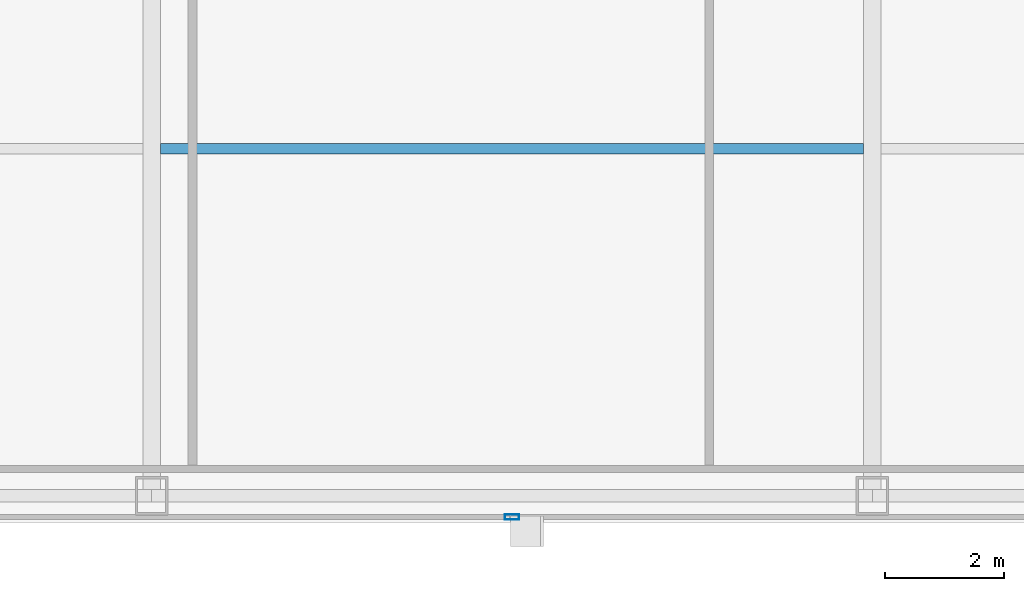
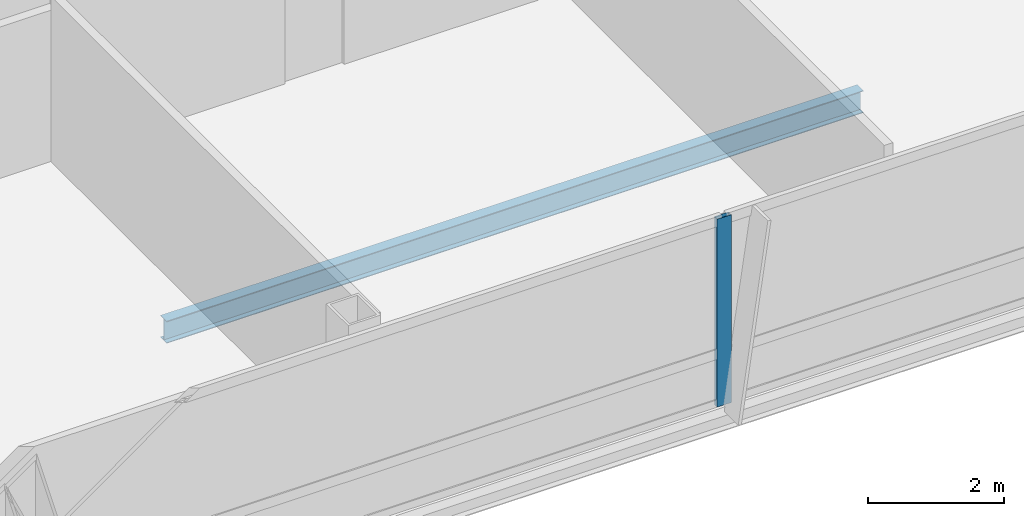
# One storey, part 7 of 29: 1 beam, 1 member, 1 element without a shape of its own.
"""IFC4 building model written with IfcOpenShell, lengths in metres."""

from ifc_helpers import new_model, si_unit, direction, frame, origin, origin_2d, place, context, subcontext, project, spatial, hollow_rectangle, i_section, extrude, material, material_profile, profile_set, type_object, element, aggregate, save


model = new_model("IFC4")

# Units and contexts
model_context = context("Model", 3, precision=1e-05, world=origin(), true_north=direction((0.0, 1.0)))
body_context = subcontext(model_context, "Body", "Model", "MODEL_VIEW")
ifc_project = project(units=[si_unit("LENGTHUNIT", "METRE"), si_unit("AREAUNIT", "SQUARE_METRE"), si_unit("VOLUMEUNIT", "CUBIC_METRE"), si_unit("PLANEANGLEUNIT", "RADIAN"), si_unit("MASSUNIT", "GRAM", prefix="KILO")], contexts=[model_context])

# Site, building, storey
site_placement = place(None, origin())
site = spatial("IfcSite", under=ifc_project, at=site_placement, CompositionType="ELEMENT")
building_placement = place(site_placement, origin())
building = spatial("IfcBuilding", under=site, at=building_placement, Name="Khoronbel Lancet Exchange", CompositionType="ELEMENT")
storey_placement = place(building_placement, frame((0.0, 0.0, 302.199951171875)))
storey = spatial("IfcBuildingStorey", under=building, at=storey_placement, Name="L78", CompositionType="ELEMENT", Elevation=302.199951171875)

# Beam
ifc_material_1 = material(Name="Steel S355", Category="steel")
ifc_material_profile_1 = material_profile(ifc_material_1, i_section(OverallWidth=0.179931640625, OverallDepth=0.39990234375, WebThickness=0.008544921875, FlangeThickness=0.013427734375, at=origin_2d()), Name="IPE 400")
ifc_profile_set_1 = profile_set([ifc_material_profile_1], Name="Steel S355")
beam_type = type_object("IfcBeamType", Name="BM-BJ5", PredefinedType="JOIST", material=ifc_profile_set_1)
beam_placement = place(storey_placement, frame((30.52490234375, 16.0, -0.35986328125), z_axis=(1.0, 0.0, 0.0), x_axis=(0.0, 1.0, 0.0)))
element("IfcBeam", 1, at=beam_placement, inside=storey, type_object=beam_type, Name="Level L78 secondary composite joist J03", PredefinedType="JOIST", context=body_context, shape_type="SweptSolid", body=[
    extrude(i_section(OverallWidth=0.179931640625, OverallDepth=0.39990234375, WebThickness=0.008544921875, FlangeThickness=0.013427734375, at=origin_2d()), origin(), (0.0, 0.0, 1.0), 11.85009765625),
])

# Curtain wall, member
ifc_material_2 = material(Name="Low-E Solar Control Insulating Glass", Category="glass")
curtain_wall_type = type_object("IfcCurtainWallType", Name="CW-3", PredefinedType="NOTDEFINED", material=ifc_material_2)
curtain_wall_placement = place(storey_placement, origin())
curtain_wall = element("IfcCurtainWall", 2, at=curtain_wall_placement, inside=storey, type_object=curtain_wall_type, Name="Unitised curtain wall CW-L78-SCV", PredefinedType="NOTDEFINED")
ifc_material_3 = material(Name="Bronze-Anodised Aluminium 6063-T6", Category="aluminium")
ifc_material_profile_2 = material_profile(ifc_material_3, hollow_rectangle(XDim=0.0849609375, YDim=0.239990234375, WallThickness=0.006103515625, at=origin_2d()), Name="ALU MULLION 85x240")
ifc_profile_set_2 = profile_set([ifc_material_profile_2], Name="Bronze-Anodised Aluminium 6063-T6")
member_type = type_object("IfcMemberType", Name="MEM-CWM1", PredefinedType="MULLION", material=ifc_profile_set_2)
member_placement = place(storey_placement, frame((36.449951171875, 9.7900390625, 0.0), z_axis=(0.0, 0.0, 1.0), x_axis=(0.0, 1.0, 0.0)))
member = element("IfcMember", 3, at=member_placement, type_object=member_type, Name="CW3 mullion 2", PredefinedType="MULLION", context=body_context, shape_type="SweptSolid", body=[
    extrude(hollow_rectangle(XDim=0.0849609375, YDim=0.239990234375, WallThickness=0.006103515625, at=origin_2d()), origin(), (0.0, 0.0, 1.0), 3.380126953125),
])
aggregate(curtain_wall, [member])

save(model, "model.ifc")
